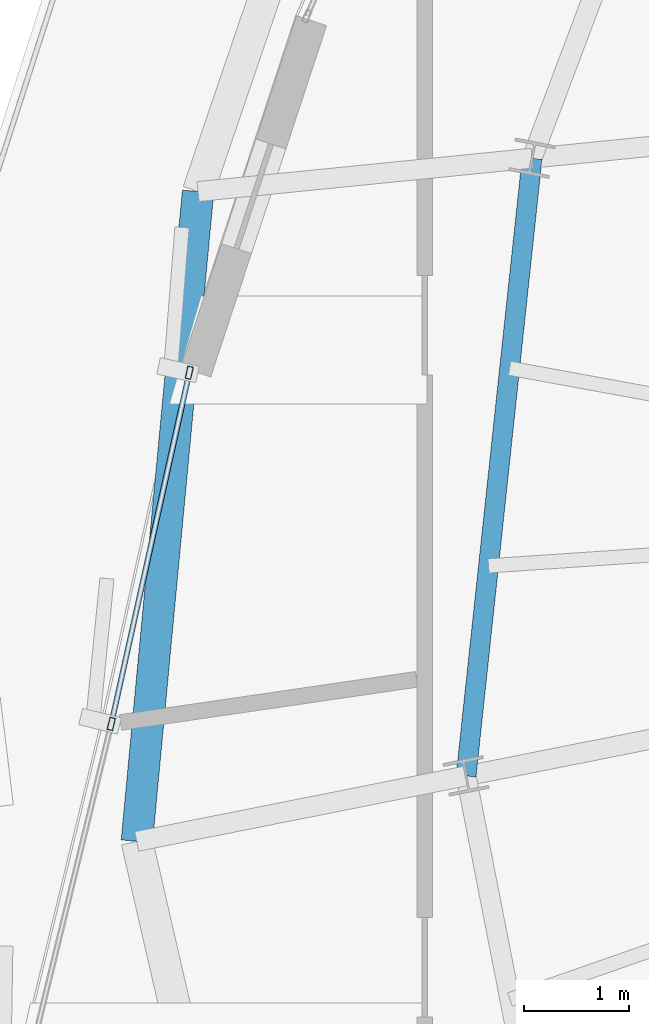
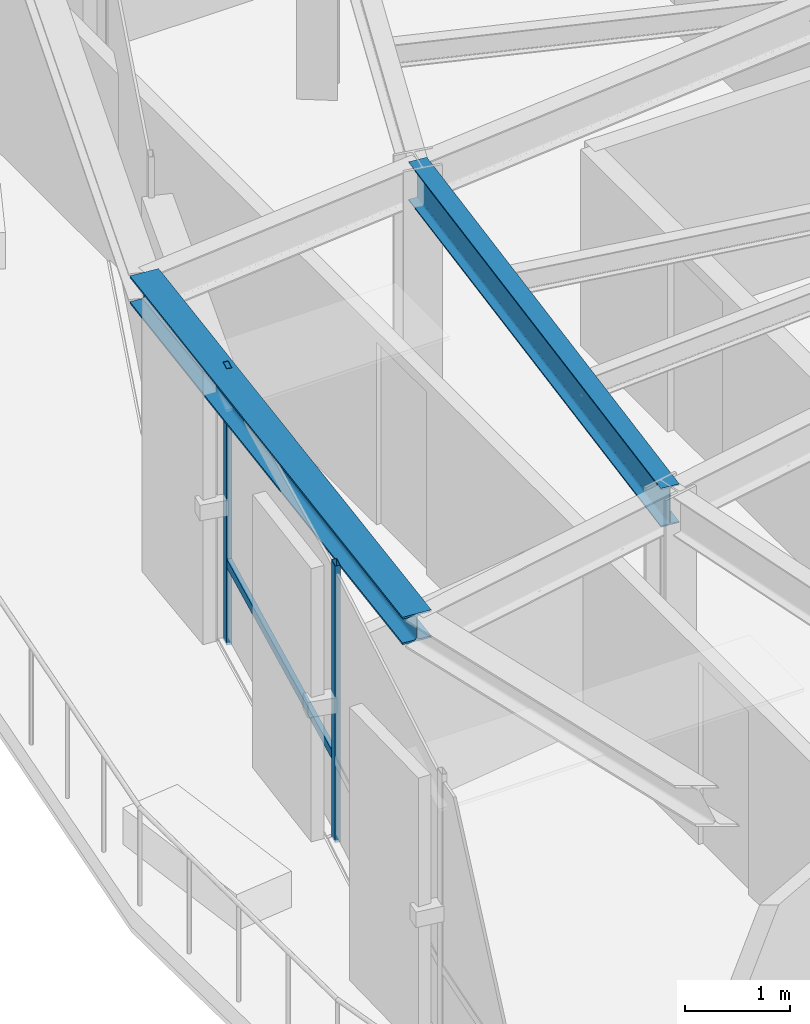
# One storey, part 9 of 36: 3 members, 2 beams, 1 element without a shape of its own.
"""IFC4 building model written with IfcOpenShell, lengths in metres."""

from ifc_helpers import new_model, si_unit, direction, frame, origin, origin_2d, place, context, subcontext, project, spatial, hollow_rectangle, i_section, extrude, source, transform, mapped, material, layer, layer_set, material_profile, profile_set, type_object, element, aggregate, save


model = new_model("IFC4")

# Units and contexts
model_context = context("Model", 3, precision=1e-05, world=origin(), true_north=direction((0.0, 1.0)))
body_context = subcontext(model_context, "Body", "Model", "MODEL_VIEW")
ifc_project = project(units=[si_unit("LENGTHUNIT", "METRE"), si_unit("AREAUNIT", "SQUARE_METRE"), si_unit("VOLUMEUNIT", "CUBIC_METRE"), si_unit("PLANEANGLEUNIT", "RADIAN"), si_unit("MASSUNIT", "GRAM", prefix="KILO"), si_unit("THERMODYNAMICTEMPERATUREUNIT", "KELVIN")], contexts=[model_context])

# Site, building, storey
site_placement = place(None, origin())
site = spatial("IfcSite", under=ifc_project, at=site_placement, CompositionType="ELEMENT")
building_placement = place(site_placement, origin())
building = spatial("IfcBuilding", under=site, at=building_placement, Name="Kethvar Cultural Tower", CompositionType="ELEMENT")
storey_placement = place(building_placement, frame((0.0, 0.0, 242.199951171875)))
storey = spatial("IfcBuildingStorey", under=building, at=storey_placement, Name="L63", CompositionType="ELEMENT", Elevation=242.199951171875)

# Beams
ifc_material_1 = material(Name="Steel S355J2", Category="steel")
ifc_material_profile_1 = material_profile(ifc_material_1, i_section(OverallWidth=0.18994140625, OverallDepth=0.449951171875, WebThickness=0.009521484375, FlangeThickness=0.0146484375, FilletRadius=0.02099609375, at=origin_2d()), Name="Steel S355J2 — IPE450")
ifc_profile_set_1 = profile_set([ifc_material_profile_1], Name="Steel S355J2 — IPE450")
beam_type_1 = type_object("IfcBeamType", Name="BM-IPE450", PredefinedType="BEAM", material=ifc_profile_set_1)
shared_shape_1 = source(origin(), body_context, "Body", "SweptSolid", [
    extrude(i_section(OverallWidth=0.18994140625, OverallDepth=0.449951171875, WebThickness=0.009521484375, FlangeThickness=0.0146484375, FilletRadius=0.02099609375, at=origin_2d()), origin(), (0.0, 0.0, 1.0), 5.92236328125),
])
beam_1_placement = place(storey_placement, frame((32.3125, 30.681884765625, 2.983154296875), z_axis=(-0.106272578913, -0.994337034899, 0.0), x_axis=(0.994337034899, -0.106272578913, 0.0)))
element("IfcBeam", 1, at=beam_1_placement, inside=storey, type_object=beam_type_1, Name="L63 Column Ring Tie Beam CR-08", PredefinedType="BEAM", context=body_context, shape_type="MappedRepresentation", body=[
    mapped(shared_shape_1, transform((0.0, 0.0, 0.0), scale=1.0)),
])
ifc_material_profile_2 = material_profile(ifc_material_1, i_section(OverallWidth=0.300048828125, OverallDepth=0.320068359375, WebThickness=0.011474609375, FlangeThickness=0.0205078125, FilletRadius=0.027099609375, at=origin_2d()), Name="Steel S355J2 — HEB320")
ifc_profile_set_2 = profile_set([ifc_material_profile_2], Name="Steel S355J2 — HEB320")
beam_type_2 = type_object("IfcBeamType", Name="BM-SP320", PredefinedType="SPANDREL", material=ifc_profile_set_2)
shared_shape_2 = source(origin(), body_context, "Body", "SweptSolid", [
    extrude(i_section(OverallWidth=0.300048828125, OverallDepth=0.320068359375, WebThickness=0.011474609375, FlangeThickness=0.0205078125, FilletRadius=0.027099609375, at=origin_2d()), origin(), (0.0, 0.0, 1.0), 6.222412109375),
])
beam_2_placement = place(storey_placement, frame((29.128173828125, 30.36376953125, 3.048095703125), z_axis=(-0.093811063392, -0.995590018223, 0.0), x_axis=(0.995590018223, -0.093811063392, 0.0)))
element("IfcBeam", 2, at=beam_2_placement, inside=storey, type_object=beam_type_2, Name="L63 Perimeter Spandrel Beam SP-08", PredefinedType="SPANDREL", context=body_context, shape_type="MappedRepresentation", body=[
    mapped(shared_shape_2, transform((0.0, 0.0, 0.0), scale=1.0)),
])

# Curtain wall, members
ifc_material_2 = material(Name="Aluminium 6063-T6", Category="aluminium")
ifc_layer = layer(ifc_material_2, 0.179931640625, Name="Aluminium 6063-T6", Category="aluminium")
ifc_layer_set = layer_set([ifc_layer], Name="Aluminium 6063-T6 (180 mm)")
curtain_wall_type = type_object("IfcCurtainWallType", Name="CW-SYS-05-Z56", PredefinedType="NOTDEFINED", material=ifc_layer_set)
curtain_wall_placement = place(storey_placement, origin())
curtain_wall = element("IfcCurtainWall", 3, at=curtain_wall_placement, inside=storey, type_object=curtain_wall_type, Name="L63 Curtain Wall Run 03", PredefinedType="NOTDEFINED")
ifc_material_profile_3 = material_profile(ifc_material_2, hollow_rectangle(XDim=0.054931640625, YDim=0.1201171875, WallThickness=0.00390625, at=origin_2d()), Name="Aluminium 6063-T6 — RHS120x55x4")
ifc_profile_set_3 = profile_set([ifc_material_profile_3], Name="Aluminium 6063-T6 — RHS120x55x4")
member_type_1 = type_object("IfcMemberType", Name="CW-SYS-05-Z56-MUL", PredefinedType="MULLION", material=ifc_profile_set_3)
shared_shape_3 = source(origin(), body_context, "Body", "SweptSolid", [
    extrude(hollow_rectangle(XDim=0.054931640625, YDim=0.1201171875, WallThickness=0.00390625, at=origin_2d()), origin(), (0.0, 0.0, 1.0), 3.2099609375),
])
member_1_placement = place(storey_placement, frame((29.044189453125, 28.636962890625, 0.0), z_axis=(0.0, 0.0, 1.0), x_axis=(0.976235527712, -0.216712238772, 0.0)))
member_1 = element("IfcMember", 4, at=member_1_placement, type_object=member_type_1, Name="CW-L63-R03 Mullion 1", PredefinedType="MULLION", context=body_context, shape_type="MappedRepresentation", body=[
    mapped(shared_shape_3, transform((0.0, 0.0, 0.0), scale=1.0)),
])
member_2_placement = place(storey_placement, frame((28.30078125, 25.288818359375, 0.0), z_axis=(0.0, 0.0, 1.0), x_axis=(0.971677119556, -0.236312452765, 0.0)))
member_2 = element("IfcMember", 5, at=member_2_placement, type_object=member_type_1, Name="CW-L63-R03 Mullion 2", PredefinedType="MULLION", context=body_context, shape_type="MappedRepresentation", body=[
    mapped(shared_shape_3, transform((0.0, 0.0, 0.0), scale=1.0)),
])
ifc_material_profile_4 = material_profile(ifc_material_2, hollow_rectangle(XDim=0.050048828125, YDim=0.10009765625, WallThickness=0.00390625, at=origin_2d()), Name="Aluminium 6063-T6 — RHS100x50x4")
ifc_profile_set_4 = profile_set([ifc_material_profile_4], Name="Aluminium 6063-T6 — RHS100x50x4")
member_type_2 = type_object("IfcMemberType", Name="CW-SYS-05-Z56-TRN", PredefinedType="USERDEFINED", material=ifc_profile_set_4)
shared_shape_4 = source(origin(), body_context, "Body", "SweptSolid", [
    extrude(hollow_rectangle(XDim=0.050048828125, YDim=0.10009765625, WallThickness=0.00390625, at=origin_2d()), origin(), (0.0, 0.0, 1.0), 3.38427734375),
])
member_3_placement = place(storey_placement, frame((29.043212890625, 28.63330078125, 0.949951171875), z_axis=(-0.216701308921, -0.976237953939, 0.0), x_axis=(0.976237953939, -0.216701308921, 0.0)))
member_3 = element("IfcMember", 6, at=member_3_placement, type_object=member_type_2, Name="CW-L63-R03 Transom 1", ObjectType="TRANSOM", PredefinedType="USERDEFINED", context=body_context, shape_type="MappedRepresentation", body=[
    mapped(shared_shape_4, transform((0.0, 0.0, 0.0), scale=1.0)),
])
aggregate(curtain_wall, [member_1, member_2, member_3])

save(model, "model.ifc")
